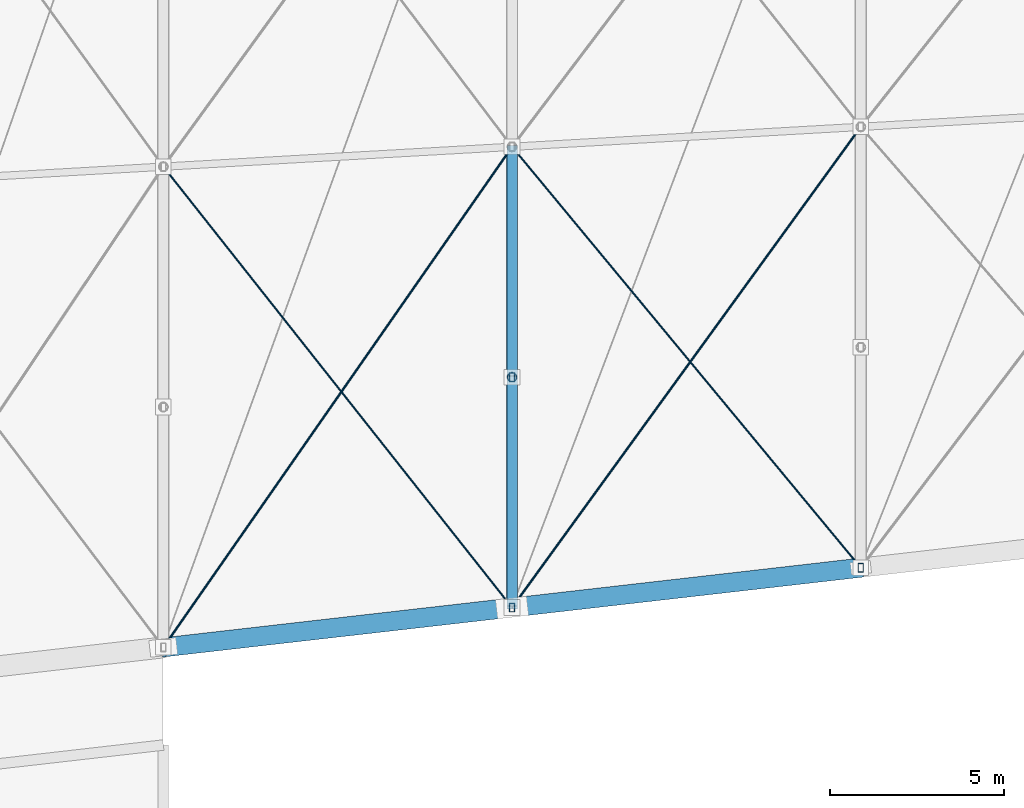
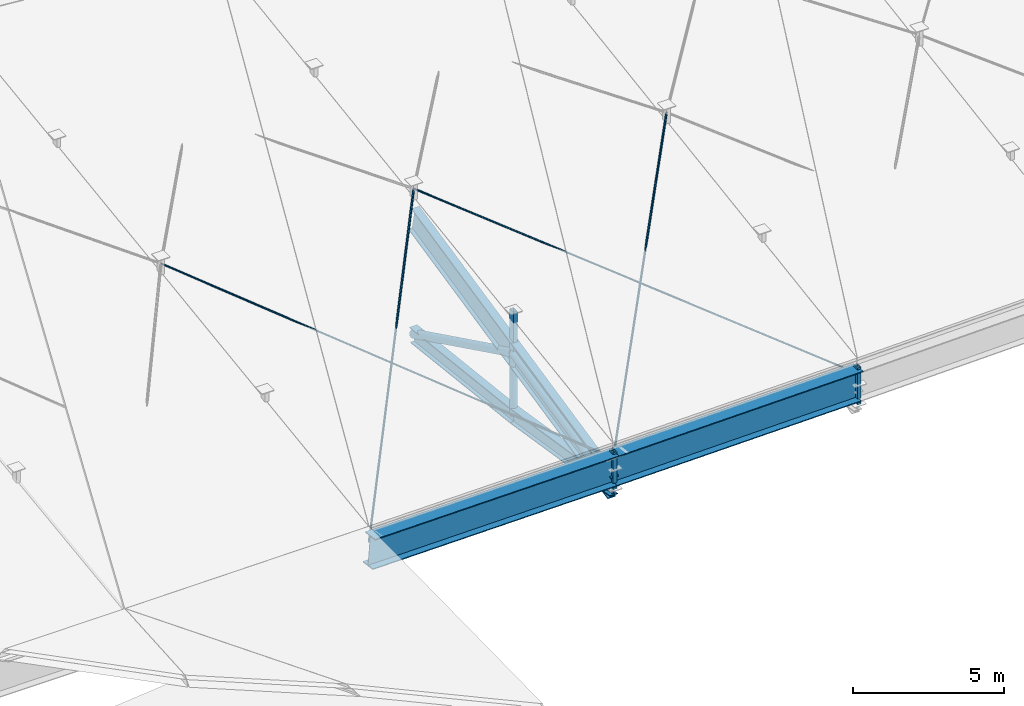
# One storey, part 22 of 68: 10 members, 6 beams.
"""IFC4 building model written with IfcOpenShell, lengths in metres."""

from ifc_helpers import new_model, si_unit, direction, frame, origin, origin_2d, place, context, subcontext, project, spatial, hollow_rectangle, circle, hollow_circle, i_section, extrude, material, material_profile, profile_set, type_object, element, save


model = new_model("IFC4")

# Units and contexts
model_context = context("Model", 3, precision=1e-05, world=origin(), true_north=direction((0.0, 1.0)))
body_context = subcontext(model_context, "Body", "Model", "MODEL_VIEW")
ifc_project = project(units=[si_unit("LENGTHUNIT", "METRE"), si_unit("AREAUNIT", "SQUARE_METRE"), si_unit("VOLUMEUNIT", "CUBIC_METRE"), si_unit("PLANEANGLEUNIT", "RADIAN"), si_unit("MASSUNIT", "GRAM", prefix="KILO")], contexts=[model_context])

# Site, building, storey
site_placement = place(None, origin())
site = spatial("IfcSite", under=ifc_project, at=site_placement, CompositionType="ELEMENT")
building_placement = place(site_placement, origin())
building = spatial("IfcBuilding", under=site, at=building_placement, Name="Sohan Crest Arena", CompositionType="ELEMENT")
storey_placement = place(building_placement, frame((0.0, 0.0, 27.0)))
storey = spatial("IfcBuildingStorey", under=building, at=storey_placement, Name="RF", CompositionType="ELEMENT", Elevation=27.0)

# Beams
ifc_material_1 = material(Name="Steel S355", Category="steel")
ifc_material_profile_1 = material_profile(ifc_material_1, i_section(OverallWidth=0.300048828125, OverallDepth=0.60009765625, WebThickness=0.015380859375, FlangeThickness=0.030029296875, at=origin_2d()), Name="HEB 600")
ifc_profile_set_1 = profile_set([ifc_material_profile_1], Name="Steel S355")
beam_type_1 = type_object("IfcBeamType", Name="STR-BM-B15", PredefinedType="BEAM", material=ifc_profile_set_1)
beam_1_placement = place(storey_placement, frame((138.0, 51.571044921875, -2.0400390625), z_axis=(0.0, 0.987604746376, -0.156961348539), x_axis=(-1.0, 0.0, 0.0)))
element("IfcBeam", 1, at=beam_1_placement, inside=storey, type_object=beam_type_1, Name="Structural beam RAB-RF-3081", PredefinedType="BEAM", context=body_context, shape_type="SweptSolid", body=[
    extrude(i_section(OverallWidth=0.300048828125, OverallDepth=0.60009765625, WebThickness=0.015380859375, FlangeThickness=0.030029296875, at=origin_2d()), origin(), (0.0, 0.0, 1.0), 6.68994140625),
])
beam_2_placement = place(storey_placement, frame((138.0, 58.177978515625, -3.090087890625), z_axis=(0.0, 0.99361854144, -0.112792704135), x_axis=(-1.0, 0.0, 0.0)))
element("IfcBeam", 2, at=beam_2_placement, inside=storey, type_object=beam_type_1, Name="Structural beam RAB-RF-3083", PredefinedType="BEAM", context=body_context, shape_type="SweptSolid", body=[
    extrude(i_section(OverallWidth=0.300048828125, OverallDepth=0.60009765625, WebThickness=0.015380859375, FlangeThickness=0.030029296875, at=origin_2d()), origin(), (0.0, 0.0, 1.0), 6.6494140625),
])
ifc_material_profile_2 = material_profile(ifc_material_1, i_section(OverallWidth=0.300048828125, OverallDepth=1.0, WebThickness=0.01904296875, FlangeThickness=0.035888671875, at=origin_2d()), Name="HEB 1000")
ifc_profile_set_2 = profile_set([ifc_material_profile_2], Name="Steel S355")
beam_type_2 = type_object("IfcBeamType", Name="STR-BM-B19", PredefinedType="BEAM", material=ifc_profile_set_2)
beam_3_placement = place(storey_placement, frame((138.0, 51.571044921875, -2.0400390625), z_axis=(0.0, 0.976936271475, 0.213531078478), x_axis=(-1.0, 0.0, 0.0)))
element("IfcBeam", 3, at=beam_3_placement, inside=storey, type_object=beam_type_2, Name="Structural beam RA-RF-3080", PredefinedType="BEAM", context=body_context, shape_type="SweptSolid", body=[
    extrude(i_section(OverallWidth=0.300048828125, OverallDepth=1.0, WebThickness=0.01904296875, FlangeThickness=0.035888671875, at=origin_2d()), origin(), (0.0, 0.0, 1.0), 6.762939453125),
])
beam_4_placement = place(storey_placement, frame((138.0, 58.177978515625, -0.595947265625), z_axis=(0.0, 0.976973911091, 0.213358798853), x_axis=(-1.0, 0.0, 0.0)))
element("IfcBeam", 4, at=beam_4_placement, inside=storey, type_object=beam_type_2, Name="Structural beam RA-RF-3082", PredefinedType="BEAM", context=body_context, shape_type="SweptSolid", body=[
    extrude(i_section(OverallWidth=0.300048828125, OverallDepth=1.0, WebThickness=0.01904296875, FlangeThickness=0.035888671875, at=origin_2d()), origin(), (0.0, 0.0, 1.0), 6.7626953125),
])
ifc_material_profile_3 = material_profile(ifc_material_1, i_section(OverallWidth=0.550048828125, OverallDepth=1.199951171875, WebThickness=0.02197265625, FlangeThickness=0.034912109375, at=origin_2d()), Name="PG 1200x550x22x35")
ifc_profile_set_3 = profile_set([ifc_material_profile_3], Name="Steel S355")
beam_type_3 = type_object("IfcBeamType", Name="STR-BM-RB01", PredefinedType="USERDEFINED", material=ifc_profile_set_3)
beam_5_placement = place(storey_placement, frame((128.0, 50.428955078125, -0.4130859375), z_axis=(0.990284998801, 0.113099443955, -0.08089583999), x_axis=(-0.113471339378, 0.993541269973, 0.0)))
element("IfcBeam", 5, at=beam_5_placement, inside=storey, type_object=beam_type_3, Name="Rising compression ring beam segment RB-16", ObjectType="RING BEAM", PredefinedType="USERDEFINED", context=body_context, shape_type="SweptSolid", body=[
    extrude(i_section(OverallWidth=0.550048828125, OverallDepth=1.199951171875, WebThickness=0.02197265625, FlangeThickness=0.034912109375, at=origin_2d()), origin(), (0.0, 0.0, 1.0), 10.09814453125),
])
beam_6_placement = place(storey_placement, frame((138.0, 51.571044921875, -1.22998046875), z_axis=(0.990657437197, 0.113238723656, -0.075992325871), x_axis=(-0.113567114035, 0.99353032697, 0.0)))
element("IfcBeam", 6, at=beam_6_placement, inside=storey, type_object=beam_type_3, Name="Rising compression ring beam segment RB-17", ObjectType="RING BEAM", PredefinedType="USERDEFINED", context=body_context, shape_type="SweptSolid", body=[
    extrude(i_section(OverallWidth=0.550048828125, OverallDepth=1.199951171875, WebThickness=0.02197265625, FlangeThickness=0.034912109375, at=origin_2d()), origin(), (0.0, 0.0, 1.0), 10.09423828125),
])

# Members
ifc_material_profile_4 = material_profile(ifc_material_1, hollow_circle(Radius=0.136474609375, WallThickness=0.012451171875, at=origin_2d()), Name="CHS 273x12.5")
ifc_profile_set_4 = profile_set([ifc_material_profile_4], Name="Steel S355")
member_type_1 = type_object("IfcMemberType", Name="STR-MEM-BR02", PredefinedType="BRACE", material=ifc_profile_set_4)
member_1_placement = place(storey_placement, frame((138.0, 58.177978515625, -3.090087890625), z_axis=(0.0, 0.0, 1.0), x_axis=(1.0, 0.0, 0.0)))
element("IfcMember", 7, at=member_1_placement, inside=storey, type_object=member_type_1, Name="Lenticular roof truss web strut TW-167", PredefinedType="BRACE", context=body_context, shape_type="SweptSolid", body=[
    extrude(hollow_circle(Radius=0.136474609375, WallThickness=0.012451171875, at=origin_2d()), origin(), (0.0, 0.0, 1.0), 2.494140625),
])
ifc_material_profile_5 = material_profile(ifc_material_1, hollow_circle(Radius=0.161865234375, WallThickness=0.012451171875, at=origin_2d()), Name="CHS 323.9x12.5")
ifc_profile_set_5 = profile_set([ifc_material_profile_5], Name="Steel S355")
member_type_2 = type_object("IfcMemberType", Name="STR-MEM-BR03", PredefinedType="BRACE", material=ifc_profile_set_5)
member_2_placement = place(storey_placement, frame((138.0, 51.571044921875, -2.0400390625), z_axis=(0.0, 0.976936271475, 0.213531078478), x_axis=(-1.0, 0.0, 0.0)))
element("IfcMember", 8, at=member_2_placement, inside=storey, type_object=member_type_2, Name="Lenticular roof truss web diagonal TD-166", PredefinedType="BRACE", context=body_context, shape_type="SweptSolid", body=[
    extrude(hollow_circle(Radius=0.161865234375, WallThickness=0.012451171875, at=origin_2d()), origin(), (0.0, 0.0, 1.0), 6.762939453125),
])
member_3_placement = place(storey_placement, frame((138.0, 64.784912109375, -3.840087890625), z_axis=(0.0, -0.897628005213, 0.440753859038), x_axis=(1.0, 0.0, 0.0)))
element("IfcMember", 9, at=member_3_placement, inside=storey, type_object=member_type_2, Name="Lenticular roof truss web diagonal TD-168", PredefinedType="BRACE", context=body_context, shape_type="SweptSolid", body=[
    extrude(hollow_circle(Radius=0.161865234375, WallThickness=0.012451171875, at=origin_2d()), origin(), (0.0, 0.0, 1.0), 7.3603515625),
])
ifc_material_2 = material(Name="Steel S460", Category="steel")
ifc_material_profile_6 = material_profile(ifc_material_2, circle(Radius=0.031982421875, at=origin_2d()), Name="FLC D64")
ifc_profile_set_6 = profile_set([ifc_material_profile_6], Name="Steel S460")
member_type_3 = type_object("IfcMemberType", Name="STR-MEM-CB01", PredefinedType="USERDEFINED", material=ifc_profile_set_6)
member_4_placement = place(storey_placement, frame((128.0, 50.428955078125, -0.04296875), z_axis=(0.567615250463, 0.814866014594, 0.117500237028), x_axis=(-0.820550084438, 0.571574631111, 0.0)))
element("IfcMember", 10, at=member_4_placement, inside=storey, type_object=member_type_3, Name="Full-locked-coil roof cable CB-025", ObjectType="CABLE", PredefinedType="USERDEFINED", context=body_context, shape_type="SweptSolid", body=[
    extrude(circle(Radius=0.031982421875, at=origin_2d()), origin(), (0.0, 0.0, 1.0), 17.61767578125),
])
member_5_placement = place(storey_placement, frame((138.0, 51.571044921875, -0.860107421875), z_axis=(0.582667318712, 0.803258678851, 0.123589200805), x_axis=(-0.809464465, 0.587168868302, 0.0)))
element("IfcMember", 11, at=member_5_placement, inside=storey, type_object=member_type_3, Name="Full-locked-coil roof cable CB-033", ObjectType="CABLE", PredefinedType="USERDEFINED", context=body_context, shape_type="SweptSolid", body=[
    extrude(circle(Radius=0.031982421875, at=origin_2d()), origin(), (0.0, 0.0, 1.0), 17.162353515625),
])
ifc_material_profile_7 = material_profile(ifc_material_2, circle(Radius=0.02587890625, at=origin_2d()), Name="FLC D52")
ifc_profile_set_7 = profile_set([ifc_material_profile_7], Name="Steel S460")
member_type_4 = type_object("IfcMemberType", Name="STR-MEM-CB02", PredefinedType="USERDEFINED", material=ifc_profile_set_7)
member_6_placement = place(storey_placement, frame((128.0, 64.215087890625, 2.844970703125), z_axis=(0.604564175371, -0.764413541076, -0.223995750133), x_axis=(0.784343617503, 0.620326599206, 0.0)))
element("IfcMember", 12, at=member_6_placement, inside=storey, type_object=member_type_4, Name="Full-locked-coil roof cable CB-026", ObjectType="CABLE", PredefinedType="USERDEFINED", context=body_context, shape_type="SweptSolid", body=[
    extrude(circle(Radius=0.02587890625, at=origin_2d()), origin(), (0.0, 0.0, 1.0), 16.540771484375),
])
member_7_placement = place(storey_placement, frame((138.0, 64.784912109375, 2.027099609375), z_axis=(0.621302202597, -0.74996151125, -0.227027101227), x_axis=(0.770069219182, 0.637960341768, 0.0)))
element("IfcMember", 13, at=member_7_placement, inside=storey, type_object=member_type_4, Name="Full-locked-coil roof cable CB-034", ObjectType="CABLE", PredefinedType="USERDEFINED", context=body_context, shape_type="SweptSolid", body=[
    extrude(circle(Radius=0.02587890625, at=origin_2d()), origin(), (0.0, 0.0, 1.0), 16.09521484375),
])
ifc_material_profile_8 = material_profile(ifc_material_1, hollow_rectangle(XDim=0.14990234375, YDim=0.25, WallThickness=0.010009765625, at=origin_2d()), Name="RHS 250x150x10")
ifc_profile_set_8 = profile_set([ifc_material_profile_8], Name="Steel S355")
member_type_5 = type_object("IfcMemberType", Name="STR-MEM-CH02", PredefinedType="CHORD", material=ifc_profile_set_8)
member_8_placement = place(storey_placement, frame((138.0, 51.571044921875, -2.0400390625), z_axis=(0.0, 0.0, 1.0), x_axis=(1.0, 0.0, 0.0)))
element("IfcMember", 14, at=member_8_placement, inside=storey, type_object=member_type_5, Name="Roof deck bearing saddle chord RSP-157", PredefinedType="CHORD", context=body_context, shape_type="SweptSolid", body=[
    extrude(hollow_rectangle(XDim=0.14990234375, YDim=0.25, WallThickness=0.010009765625, at=origin_2d()), origin(), (0.0, 0.0, 1.0), 1.489990234375),
])
member_9_placement = place(storey_placement, frame((138.0, 58.177978515625, -0.595947265625), z_axis=(0.0, 0.0, 1.0), x_axis=(1.0, 0.0, 0.0)))
element("IfcMember", 15, at=member_9_placement, inside=storey, type_object=member_type_5, Name="Roof deck bearing saddle chord RSP-158", PredefinedType="CHORD", context=body_context, shape_type="SweptSolid", body=[
    extrude(hollow_rectangle(XDim=0.14990234375, YDim=0.25, WallThickness=0.010009765625, at=origin_2d()), origin(), (0.0, 0.0, 1.0), 1.72998046875),
])
member_10_placement = place(storey_placement, frame((148.0, 52.714111328125, -2.806884765625), z_axis=(0.0, 0.0, 1.0), x_axis=(1.0, 0.0, 0.0)))
element("IfcMember", 16, at=member_10_placement, inside=storey, type_object=member_type_5, Name="Roof deck bearing saddle chord RSP-181", PredefinedType="CHORD", context=body_context, shape_type="SweptSolid", body=[
    extrude(hollow_rectangle(XDim=0.14990234375, YDim=0.25, WallThickness=0.010009765625, at=origin_2d()), origin(), (0.0, 0.0, 1.0), 1.489990234375),
])

save(model, "model.ifc")
